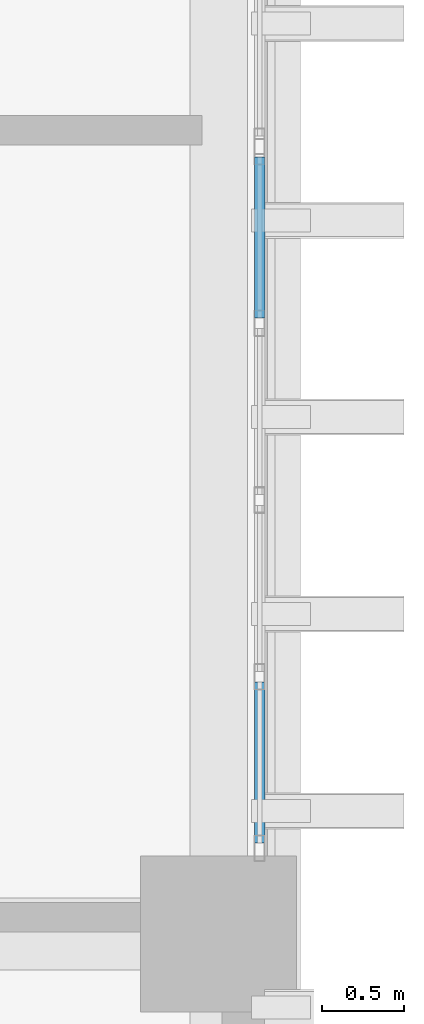
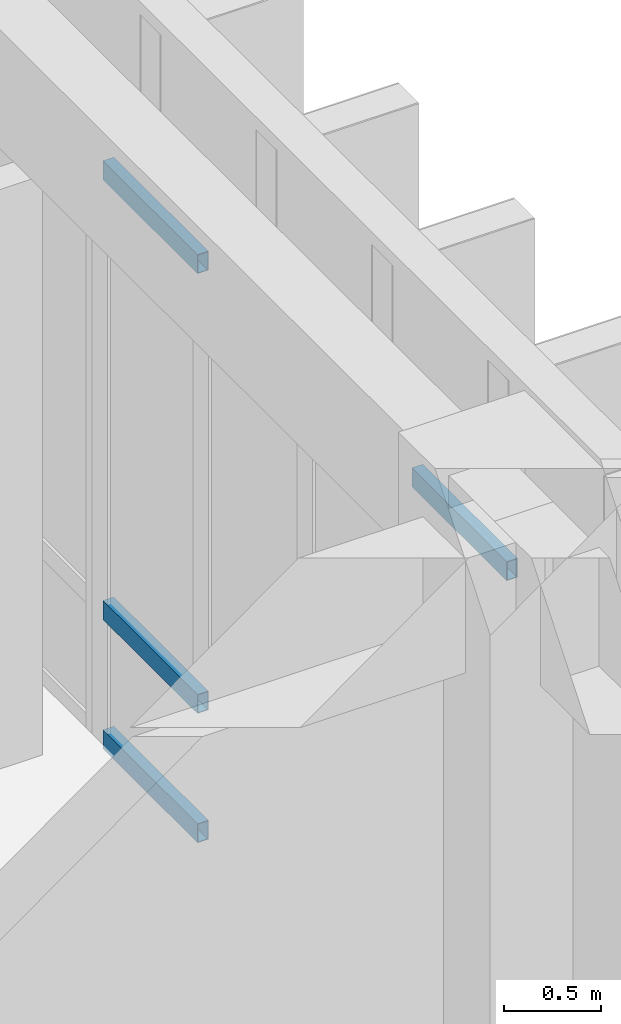
# One storey, part 87 of 133: 4 members, 1 element without a shape of its own.
"""IFC4 building model written with IfcOpenShell, lengths in metres."""

from ifc_helpers import new_model, si_unit, direction, frame, origin, origin_2d, place, context, subcontext, project, spatial, hollow_rectangle, extrude, material, layer, layer_set, material_profile, profile_set, type_object, element, aggregate, save


model = new_model("IFC4")

# Units and contexts
model_context = context("Model", 3, precision=1e-05, world=origin(), true_north=direction((0.0, 1.0)))
body_context = subcontext(model_context, "Body", "Model", "MODEL_VIEW")
ifc_project = project(units=[si_unit("LENGTHUNIT", "METRE"), si_unit("AREAUNIT", "SQUARE_METRE"), si_unit("VOLUMEUNIT", "CUBIC_METRE"), si_unit("PLANEANGLEUNIT", "RADIAN"), si_unit("MASSUNIT", "GRAM", prefix="KILO")], contexts=[model_context])

# Site, building, storey
site_placement = place(None, origin())
site = spatial("IfcSite", under=ifc_project, at=site_placement, CompositionType="ELEMENT")
building_placement = place(site_placement, origin())
building = spatial("IfcBuilding", under=site, at=building_placement, Name="Nakhvara Creek Congress Hotel", CompositionType="ELEMENT")
storey_placement = place(building_placement, frame((0.0, 0.0, 11.39990234375)))
storey = spatial("IfcBuildingStorey", under=building, at=storey_placement, Name="L02", CompositionType="ELEMENT", Elevation=11.39990234375)

# Curtain wall, members
ifc_material_1 = material(Name="Bronze-anodised aluminium AW-6063-T6 and double-silver low-E glass", Category="aluminium")
ifc_layer = layer(ifc_material_1, 0.199951171875)
ifc_layer_set = layer_set([ifc_layer], Name="Bronze-anodised aluminium AW-6063-T6 and double-silver low-E glass")
curtain_wall_type = type_object("IfcCurtainWallType", Name="CW-HTL-UNIT", PredefinedType="USERDEFINED", material=ifc_layer_set)
curtain_wall_placement = place(storey_placement, origin())
curtain_wall = element("IfcCurtainWall", 1, at=curtain_wall_placement, inside=storey, type_object=curtain_wall_type, Name="Curtain Wall CW147", ObjectType="UNITISED", PredefinedType="USERDEFINED")
ifc_material_2 = material(Name="Bronze-anodised aluminium AW-6063-T6", Category="aluminium")
ifc_material_profile = material_profile(ifc_material_2, hollow_rectangle(XDim=0.06494140625, YDim=0.1201171875, WallThickness=0.00390625, at=origin_2d()), Name="ALU-TRAN 65x120x4", Category="LoadBearing")
ifc_profile_set = profile_set([ifc_material_profile], Name="Bronze-anodised aluminium AW-6063-T6")
member_type = type_object("IfcMemberType", Name="CW-TRAN-120", PredefinedType="USERDEFINED", material=ifc_profile_set)
member_1_placement = place(storey_placement, frame((179.60009765625, 119.93505859375, 0.03271484375), z_axis=(0.0, -1.0, 0.0), x_axis=(1.0, 0.0, 0.0)))
member_1 = element("IfcMember", 2, at=member_1_placement, type_object=member_type, Name="CW147 transom 1.1", ObjectType="TRANSOM", PredefinedType="USERDEFINED", context=body_context, shape_type="SweptSolid", body=[
    extrude(hollow_rectangle(XDim=0.06494140625, YDim=0.1201171875, WallThickness=0.00390625, at=origin_2d()), origin(), (0.0, 0.0, 1.0), 0.97998046875),
])
member_2_placement = place(storey_placement, frame((179.60009765625, 119.93505859375, 0.85009765625), z_axis=(0.0, -1.0, 0.0), x_axis=(1.0, 0.0, 0.0)))
member_2 = element("IfcMember", 3, at=member_2_placement, type_object=member_type, Name="CW147 transom 1.2", ObjectType="TRANSOM", PredefinedType="USERDEFINED", context=body_context, shape_type="SweptSolid", body=[
    extrude(hollow_rectangle(XDim=0.06494140625, YDim=0.1201171875, WallThickness=0.00390625, at=origin_2d()), origin(), (0.0, 0.0, 1.0), 0.97998046875),
])
member_3_placement = place(storey_placement, frame((179.60009765625, 119.93505859375, 3.629638671875), z_axis=(0.0, -1.0, 0.0), x_axis=(1.0, 0.0, 0.0)))
member_3 = element("IfcMember", 4, at=member_3_placement, type_object=member_type, Name="CW147 transom 1.3", ObjectType="TRANSOM", PredefinedType="USERDEFINED", context=body_context, shape_type="SweptSolid", body=[
    extrude(hollow_rectangle(XDim=0.06494140625, YDim=0.1201171875, WallThickness=0.00390625, at=origin_2d()), origin(), (0.0, 0.0, 1.0), 0.97998046875),
])
member_4_placement = place(storey_placement, frame((179.60009765625, 116.735107421875, 3.629638671875), z_axis=(0.0, -1.0, 0.0), x_axis=(1.0, 0.0, 0.0)))
member_4 = element("IfcMember", 5, at=member_4_placement, type_object=member_type, Name="CW147 transom 4.3", ObjectType="TRANSOM", PredefinedType="USERDEFINED", context=body_context, shape_type="SweptSolid", body=[
    extrude(hollow_rectangle(XDim=0.06494140625, YDim=0.1201171875, WallThickness=0.00390625, at=origin_2d()), origin(), (0.0, 0.0, 1.0), 0.980224609375),
])
aggregate(curtain_wall, [member_1, member_2, member_3, member_4])

save(model, "model.ifc")
